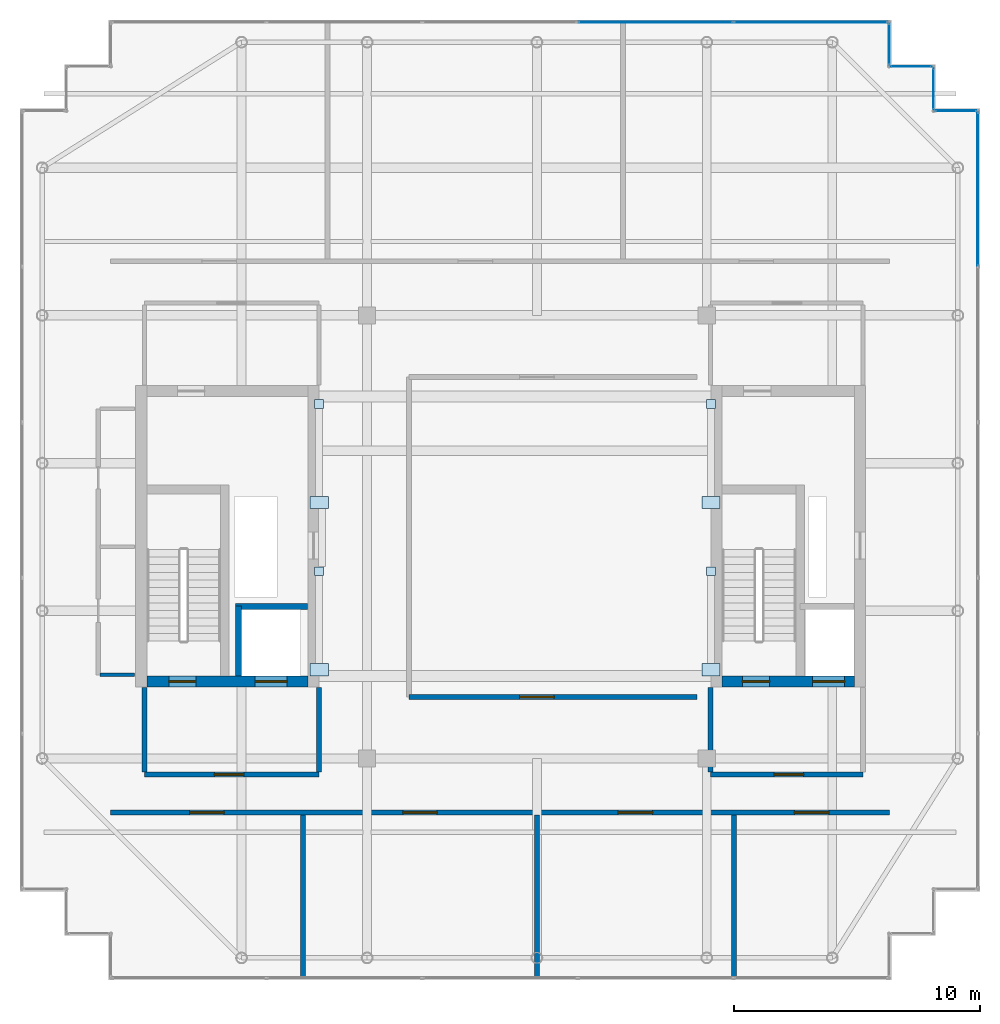
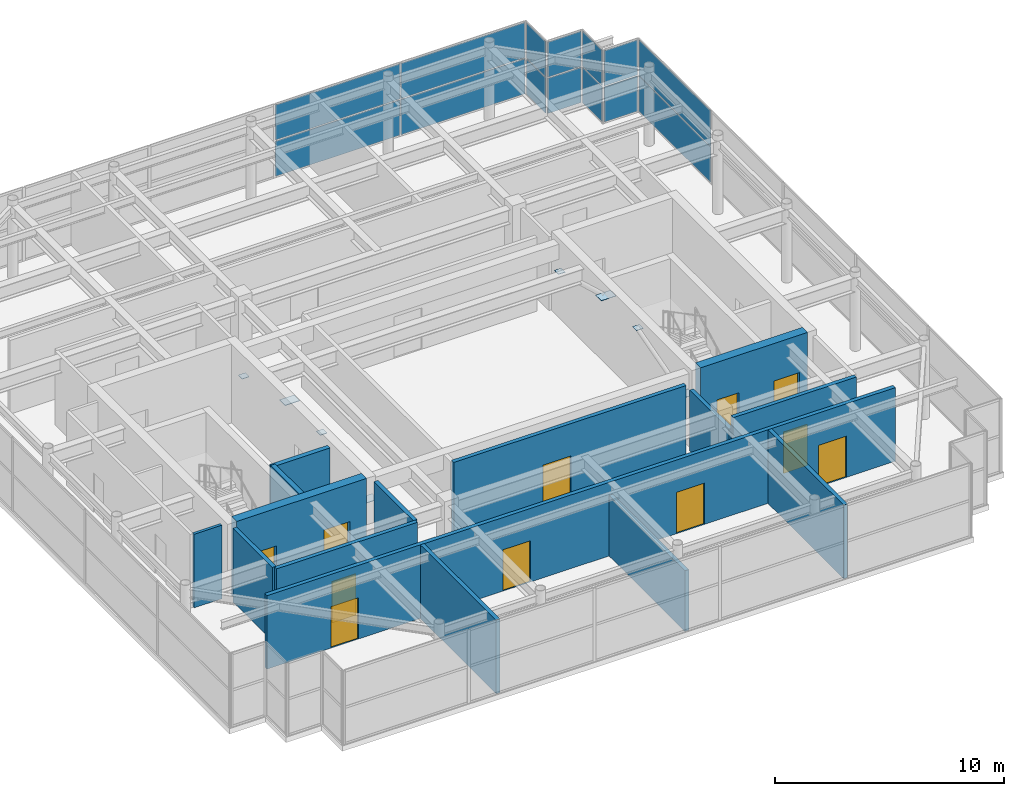
# One storey, part 30 of 32: 22 plates, 15 walls, 11 doors, 11 openings, 6 elements without a shape of their own.
"""IFC4 building model written with IfcOpenShell, lengths in metres."""

from ifc_helpers import new_model, si_unit, direction, frame, frame_2d, origin, origin_2d, place, context, subcontext, project, spatial, rectangle, extrude, source, transform, mapped, material, layer, layer_set, type_object, element, fill, aggregate, save


model = new_model("IFC4")

# Units and contexts
model_context = context("Model", 3, precision=1e-05, world=origin(), true_north=direction((0.0, 1.0)))
body_context = subcontext(model_context, "Body", "Model", "MODEL_VIEW")
ifc_project = project(units=[si_unit("LENGTHUNIT", "METRE"), si_unit("AREAUNIT", "SQUARE_METRE"), si_unit("VOLUMEUNIT", "CUBIC_METRE"), si_unit("PLANEANGLEUNIT", "RADIAN"), si_unit("MASSUNIT", "GRAM", prefix="KILO")], contexts=[model_context])

# Site, building, storey
site_placement = place(None, origin())
site = spatial("IfcSite", under=ifc_project, at=site_placement, CompositionType="ELEMENT")
building_placement = place(site_placement, origin())
building = spatial("IfcBuilding", under=site, at=building_placement, Name="Khoralis Quay Care Tower", CompositionType="ELEMENT")
storey_placement = place(building_placement, frame((0.0, 0.0, 310.5)))
storey = spatial("IfcBuildingStorey", under=building, at=storey_placement, Name="L81", CompositionType="ELEMENT", Elevation=310.5)

# Plates
ifc_material_1 = material(Name="Steel S355", Category="steel")
ifc_layer_1 = layer(ifc_material_1, 0.02001953125)
ifc_layer_set_1 = layer_set([ifc_layer_1], Name="Steel S355")
plate_type_1 = type_object("IfcPlateType", Name="PLT-CAP-350", PredefinedType="USERDEFINED", material=ifc_layer_set_1)
shared_shape_1 = source(origin(), body_context, "Body", "SweptSolid", [
    extrude(rectangle(XDim=0.35009765625, YDim=0.35009765625, at=origin_2d()), origin(), (0.0, 0.0, 1.0), 0.02001953125),
])
for number, where, z_axis, x_axis, name in (
    (1, (15.14794921875, 19.60009765625, 3.639892578125), (0.0, 0.0, 1.0), (1.0, 0.0, 0.0), "PLT-LNCP-L81-1"),
    (2, (15.14794921875, 26.39990234375, 2.510009765625), (0.0, 0.0, 1.0), (1.0, 0.0, 0.0), "PLT-LNCP-L81-2"),
    (3, (31.072021484375, 19.60009765625, 3.639892578125), (0.0, 0.0, 1.0), (1.0, 0.0, 0.0), "PLT-LNCP-L81-3"),
    (4, (31.072021484375, 26.39990234375, 2.510009765625), (0.0, 0.0, 1.0), (1.0, 0.0, 0.0), "PLT-LNCP-L81-4"),
):
    element("IfcPlate", number, at=place(storey_placement, frame(where, z_axis=z_axis, x_axis=x_axis)), inside=storey, type_object=plate_type_1, Name=name, ObjectType="BASE_PLATE", PredefinedType="USERDEFINED", context=body_context, shape_type="MappedRepresentation", body=[
        mapped(shared_shape_1, transform((0.0, 0.0, 0.0), scale=1.0)),
    ])
ifc_layer_2 = layer(ifc_material_1, 0.02490234375)
ifc_layer_set_2 = layer_set([ifc_layer_2], Name="Steel S355")
plate_type_2 = type_object("IfcPlateType", Name="PLT-NODE-LN1", PredefinedType="USERDEFINED", material=ifc_layer_set_2)
shared_shape_2 = source(origin(), body_context, "Body", "SweptSolid", [
    extrude(rectangle(XDim=0.75, YDim=0.5, at=origin_2d()), origin(), (0.0, 0.0, 1.0), 0.02490234375),
])
for number, where, z_axis, x_axis, name in (
    (5, (15.14794921875, 15.60009765625, 2.507568359375), (0.0, 0.0, 1.0), (1.0, 0.0, 0.0), "PLT-LN1-L81-1"),
    (6, (15.14794921875, 22.39990234375, 3.637451171875), (0.0, 0.0, 1.0), (1.0, 0.0, 0.0), "PLT-LN1-L81-2"),
    (7, (31.072021484375, 15.60009765625, 2.507568359375), (0.0, 0.0, 1.0), (1.0, 0.0, 0.0), "PLT-LN1-L81-3"),
    (8, (31.072021484375, 22.39990234375, 3.637451171875), (0.0, 0.0, 1.0), (1.0, 0.0, 0.0), "PLT-LN1-L81-4"),
):
    element("IfcPlate", number, at=place(storey_placement, frame(where, z_axis=z_axis, x_axis=x_axis)), inside=storey, type_object=plate_type_2, Name=name, ObjectType="GUSSET_PLATE", PredefinedType="USERDEFINED", context=body_context, shape_type="MappedRepresentation", body=[
        mapped(shared_shape_2, transform((0.0, 0.0, 0.0), scale=1.0)),
    ])

# Curtain wall, plates
ifc_material_2 = material(Name="Pale anodised aluminium", Category="aluminium")
ifc_layer_3 = layer(ifc_material_2, 0.199951171875)
ifc_layer_set_3 = layer_set([ifc_layer_3], Name="Pale anodised aluminium")
curtain_wall_type = type_object("IfcCurtainWallType", Name="CW-SYS-LANTERN", PredefinedType="NOTDEFINED", material=ifc_layer_set_3)
curtain_wall_1_placement = place(storey_placement, origin())
curtain_wall_1 = element("IfcCurtainWall", 9, at=curtain_wall_1_placement, inside=storey, type_object=curtain_wall_type, Name="L81 Unitised Curtain Wall CW-LN-L81-06", PredefinedType="NOTDEFINED")
ifc_material_3 = material(Name="Low-iron clear lantern glazing", Category="glass")
ifc_layer_4 = layer(ifc_material_3, 0.035888671875)
ifc_layer_set_4 = layer_set([ifc_layer_4], Name="Low-iron clear lantern glazing")
plate_type_3 = type_object("IfcPlateType", Name="PNL-LNT-36", PredefinedType="CURTAIN_PANEL", material=ifc_layer_set_4)
shared_shape_3 = source(origin(), body_context, "Body", "SweptSolid", [
    extrude(rectangle(XDim=6.23388671875, YDim=0.028076171875, at=origin_2d()), origin(), (0.0, 0.0, 1.0), 1.8701171875),
])
plate_1_placement = place(storey_placement, frame((41.909912109375, 35.133056640625, 0.06005859375), z_axis=(0.0, 0.0, 1.0), x_axis=(0.0, 1.0, 0.0)))
plate_1 = element("IfcPlate", 10, at=plate_1_placement, type_object=plate_type_3, Name="CW5 panel 5.1", PredefinedType="CURTAIN_PANEL", context=body_context, shape_type="MappedRepresentation", body=[
    mapped(shared_shape_3, transform((0.0, 0.0, 0.0), scale=1.0)),
])
plate_2_placement = place(storey_placement, frame((41.909912109375, 35.133056640625, 1.989990234375), z_axis=(0.0, 0.0, 1.0), x_axis=(0.0, 1.0, 0.0)))
plate_2 = element("IfcPlate", 11, at=plate_2_placement, type_object=plate_type_3, Name="CW5 panel 5.2", PredefinedType="CURTAIN_PANEL", context=body_context, shape_type="MappedRepresentation", body=[
    mapped(shared_shape_3, transform((0.0, 0.0, 0.0), scale=1.0)),
])
aggregate(curtain_wall_1, [plate_1, plate_2])

curtain_wall_2_placement = place(storey_placement, origin())
curtain_wall_2 = element("IfcCurtainWall", 12, at=curtain_wall_2_placement, inside=storey, type_object=curtain_wall_type, Name="L81 Unitised Curtain Wall CW-LN-L81-11", PredefinedType="NOTDEFINED")
plate_3_placement = place(storey_placement, frame((35.133056640625, 41.909912109375, 0.06005859375), z_axis=(0.0, 0.0, 1.0), x_axis=(-1.0, 0.0, 0.0)))
plate_3 = element("IfcPlate", 13, at=plate_3_placement, type_object=plate_type_3, Name="CW5 panel 1.1", PredefinedType="CURTAIN_PANEL", context=body_context, shape_type="MappedRepresentation", body=[
    mapped(shared_shape_3, transform((0.0, 0.0, 0.0), scale=1.0)),
])
plate_4_placement = place(storey_placement, frame((35.133056640625, 41.909912109375, 1.989990234375), z_axis=(0.0, 0.0, 1.0), x_axis=(-1.0, 0.0, 0.0)))
plate_4 = element("IfcPlate", 14, at=plate_4_placement, type_object=plate_type_3, Name="CW5 panel 1.2", PredefinedType="CURTAIN_PANEL", context=body_context, shape_type="MappedRepresentation", body=[
    mapped(shared_shape_3, transform((0.0, 0.0, 0.0), scale=1.0)),
])
shared_shape_4 = source(origin(), body_context, "Body", "SweptSolid", [
    extrude(rectangle(XDim=6.263916015625, YDim=0.028076171875, at=origin_2d()), origin(), (0.0, 0.0, 1.0), 1.8701171875),
])
plate_5_placement = place(storey_placement, frame((28.823974609375, 41.909912109375, 0.06005859375), z_axis=(0.0, 0.0, 1.0), x_axis=(-1.0, 0.0, 0.0)))
plate_5 = element("IfcPlate", 15, at=plate_5_placement, type_object=plate_type_3, Name="CW5 panel 2.1", PredefinedType="CURTAIN_PANEL", context=body_context, shape_type="MappedRepresentation", body=[
    mapped(shared_shape_4, transform((0.0, 0.0, 0.0), scale=1.0)),
])
plate_6_placement = place(storey_placement, frame((28.823974609375, 41.909912109375, 1.989990234375), z_axis=(0.0, 0.0, 1.0), x_axis=(-1.0, 0.0, 0.0)))
plate_6 = element("IfcPlate", 16, at=plate_6_placement, type_object=plate_type_3, Name="CW5 panel 2.2", PredefinedType="CURTAIN_PANEL", context=body_context, shape_type="MappedRepresentation", body=[
    mapped(shared_shape_4, transform((0.0, 0.0, 0.0), scale=1.0)),
])
aggregate(curtain_wall_2, [plate_3, plate_4, plate_5, plate_6])

curtain_wall_3_placement = place(storey_placement, origin())
curtain_wall_3 = element("IfcCurtainWall", 17, at=curtain_wall_3_placement, inside=storey, type_object=curtain_wall_type, Name="L81 Unitised Curtain Wall CW-LN-L81-07", PredefinedType="NOTDEFINED")
shared_shape_5 = source(origin(), body_context, "Body", "SweptSolid", [
    extrude(rectangle(XDim=1.679931640625, YDim=0.028076171875, at=origin_2d()), origin(), (0.0, 0.0, 1.0), 1.8701171875),
])
plate_7_placement = place(storey_placement, frame((41.010009765625, 38.31005859375, 0.06005859375), z_axis=(0.0, 0.0, 1.0), x_axis=(-1.0, 0.0, 0.0)))
plate_7 = element("IfcPlate", 18, at=plate_7_placement, type_object=plate_type_3, Name="CW5 panel 1.1", PredefinedType="CURTAIN_PANEL", context=body_context, shape_type="MappedRepresentation", body=[
    mapped(shared_shape_5, transform((0.0, 0.0, 0.0), scale=1.0)),
])
plate_8_placement = place(storey_placement, frame((41.010009765625, 38.31005859375, 1.989990234375), z_axis=(0.0, 0.0, 1.0), x_axis=(-1.0, 0.0, 0.0)))
plate_8 = element("IfcPlate", 19, at=plate_8_placement, type_object=plate_type_3, Name="CW5 panel 1.2", PredefinedType="CURTAIN_PANEL", context=body_context, shape_type="MappedRepresentation", body=[
    mapped(shared_shape_5, transform((0.0, 0.0, 0.0), scale=1.0)),
])
aggregate(curtain_wall_3, [plate_7, plate_8])

curtain_wall_4_placement = place(storey_placement, origin())
curtain_wall_4 = element("IfcCurtainWall", 20, at=curtain_wall_4_placement, inside=storey, type_object=curtain_wall_type, Name="L81 Unitised Curtain Wall CW-LN-L81-08", PredefinedType="NOTDEFINED")
plate_9_placement = place(storey_placement, frame((40.110107421875, 39.2099609375, 0.06005859375), z_axis=(0.0, 0.0, 1.0), x_axis=(0.0, 1.0, 0.0)))
plate_9 = element("IfcPlate", 21, at=plate_9_placement, type_object=plate_type_3, Name="CW5 panel 1.1", PredefinedType="CURTAIN_PANEL", context=body_context, shape_type="MappedRepresentation", body=[
    mapped(shared_shape_5, transform((0.0, 0.0, 0.0), scale=1.0)),
])
plate_10_placement = place(storey_placement, frame((40.110107421875, 39.2099609375, 1.989990234375), z_axis=(0.0, 0.0, 1.0), x_axis=(0.0, 1.0, 0.0)))
plate_10 = element("IfcPlate", 22, at=plate_10_placement, type_object=plate_type_3, Name="CW5 panel 1.2", PredefinedType="CURTAIN_PANEL", context=body_context, shape_type="MappedRepresentation", body=[
    mapped(shared_shape_5, transform((0.0, 0.0, 0.0), scale=1.0)),
])
aggregate(curtain_wall_4, [plate_9, plate_10])

curtain_wall_5_placement = place(storey_placement, origin())
curtain_wall_5 = element("IfcCurtainWall", 23, at=curtain_wall_5_placement, inside=storey, type_object=curtain_wall_type, Name="L81 Unitised Curtain Wall CW-LN-L81-09", PredefinedType="NOTDEFINED")
plate_11_placement = place(storey_placement, frame((39.2099609375, 40.110107421875, 0.06005859375), z_axis=(0.0, 0.0, 1.0), x_axis=(-1.0, 0.0, 0.0)))
plate_11 = element("IfcPlate", 24, at=plate_11_placement, type_object=plate_type_3, Name="CW5 panel 1.1", PredefinedType="CURTAIN_PANEL", context=body_context, shape_type="MappedRepresentation", body=[
    mapped(shared_shape_5, transform((0.0, 0.0, 0.0), scale=1.0)),
])
plate_12_placement = place(storey_placement, frame((39.2099609375, 40.110107421875, 1.989990234375), z_axis=(0.0, 0.0, 1.0), x_axis=(-1.0, 0.0, 0.0)))
plate_12 = element("IfcPlate", 25, at=plate_12_placement, type_object=plate_type_3, Name="CW5 panel 1.2", PredefinedType="CURTAIN_PANEL", context=body_context, shape_type="MappedRepresentation", body=[
    mapped(shared_shape_5, transform((0.0, 0.0, 0.0), scale=1.0)),
])
aggregate(curtain_wall_5, [plate_11, plate_12])

curtain_wall_6_placement = place(storey_placement, origin())
curtain_wall_6 = element("IfcCurtainWall", 26, at=curtain_wall_6_placement, inside=storey, type_object=curtain_wall_type, Name="L81 Unitised Curtain Wall CW-LN-L81-10", PredefinedType="NOTDEFINED")
plate_13_placement = place(storey_placement, frame((38.31005859375, 41.010009765625, 0.06005859375), z_axis=(0.0, 0.0, 1.0), x_axis=(0.0, 1.0, 0.0)))
plate_13 = element("IfcPlate", 27, at=plate_13_placement, type_object=plate_type_3, Name="CW5 panel 1.1", PredefinedType="CURTAIN_PANEL", context=body_context, shape_type="MappedRepresentation", body=[
    mapped(shared_shape_5, transform((0.0, 0.0, 0.0), scale=1.0)),
])
plate_14_placement = place(storey_placement, frame((38.31005859375, 41.010009765625, 1.989990234375), z_axis=(0.0, 0.0, 1.0), x_axis=(0.0, 1.0, 0.0)))
plate_14 = element("IfcPlate", 28, at=plate_14_placement, type_object=plate_type_3, Name="CW5 panel 1.2", PredefinedType="CURTAIN_PANEL", context=body_context, shape_type="MappedRepresentation", body=[
    mapped(shared_shape_5, transform((0.0, 0.0, 0.0), scale=1.0)),
])
aggregate(curtain_wall_6, [plate_13, plate_14])

# Wall, opening, door
ifc_material_4 = material(Name="Gypsum plasterboard on acoustic metal stud")
ifc_layer_5 = layer(ifc_material_4, 0.199951171875)
ifc_layer_set_5 = layer_set([ifc_layer_5], Name="Gypsum plasterboard on acoustic metal stud")
wall_type_1 = type_object("IfcWallType", Name="WL-COMP-200", PredefinedType="PARTITIONING", material=ifc_layer_set_5)
wall_1_placement = place(storey_placement, frame((8.050048828125, 11.35009765625, 0.0), z_axis=(0.0, 0.0, 1.0), x_axis=(1.0, 0.0, 0.0)))
wall_1 = element("IfcWall", 29, at=wall_1_placement, inside=storey, type_object=wall_type_1, Name="L81 West Firefighting Lobby South Wall", PredefinedType="PARTITIONING", context=body_context, shape_type="SweptSolid", body=[
    extrude(rectangle(XDim=7.099853515625, YDim=0.199951171875, at=frame_2d((3.5498046875, 0.0))), origin(), (0.0, 0.0, 1.0), 3.919921875),
])
opening_1_placement = place(wall_1_placement, frame((2.846435546875, 0.0, 0.0)))
opening_1 = element("IfcOpeningElement", 30, at=opening_1_placement, cuts=wall_1, Name="Opening FD1", PredefinedType="OPENING", context=body_context, shape_type="SweptSolid", body=[
    extrude(rectangle(XDim=1.199951171875, YDim=2.199951171875, at=frame_2d((0.60009765625, 1.10009765625))), frame((0.0, 0.10986328125, 0.0), z_axis=(0.0, -1.0, 0.0), x_axis=(1.0, 0.0, 0.0)), (0.0, 0.0, 1.0), 0.219970703125),
])
ifc_material_5 = material(Name="Fire-rated painted steel", Category="steel")
door_type_1 = type_object("IfcDoorType", Name="DR-FFL-1200X2200", OperationType="NOTDEFINED", PredefinedType="DOOR", material=ifc_material_5)
shared_shape_6 = source(origin(), body_context, "Body", "SweptSolid", [
    extrude(rectangle(XDim=1.199951171875, YDim=2.199951171875, at=frame_2d((0.60009765625, 1.10009765625))), frame((0.0, 0.02490234375, 0.0), z_axis=(0.0, -1.0, 0.0), x_axis=(1.0, 0.0, 0.0)), (0.0, 0.0, 1.0), 0.050048828125),
])
door_1_placement = place(opening_1_placement, origin())
door_1 = element("IfcDoor", 31, at=door_1_placement, inside=storey, type_object=door_type_1, Name="L81 West Firefighting Lobby Fire Door", OperationType="SINGLE_SWING_LEFT", OverallHeight=2.199951171875, OverallWidth=1.199951171875, PredefinedType="DOOR", context=body_context, shape_type="MappedRepresentation", body=[
    mapped(shared_shape_6, transform((0.0, 0.0, 0.0), scale=1.0)),
])
fill(opening_1, door_1)

# Walls
for number, where, z_axis, x_axis, name in (
    (32, (8.050048828125, 11.445068359375, 0.0), (0.0, 0.0, 1.0), (0.0, 1.0, 0.0), "L81 West Firefighting Lobby West Wall"),
    (33, (15.14990234375, 11.445068359375, 0.0), (0.0, 0.0, 1.0), (0.0, 1.0, 0.0), "L81 West Firefighting Lobby East Wall"),
):
    element("IfcWall", number, at=place(storey_placement, frame(where, z_axis=z_axis, x_axis=x_axis)), inside=storey, type_object=wall_type_1, Name=name, PredefinedType="PARTITIONING", context=body_context, shape_type="SweptSolid", body=[
        extrude(rectangle(XDim=3.434814453125, YDim=0.199951171875, at=frame_2d((1.71728515625, 0.0))), origin(), (0.0, 0.0, 1.0), 3.919921875),
    ])

# Wall, opening, door
wall_2_placement = place(storey_placement, frame((31.050048828125, 11.35009765625, 0.0), z_axis=(0.0, 0.0, 1.0), x_axis=(1.0, 0.0, 0.0)))
wall_2 = element("IfcWall", 34, at=wall_2_placement, inside=storey, type_object=wall_type_1, Name="L81 East Firefighting Lobby South Wall", PredefinedType="PARTITIONING", context=body_context, shape_type="SweptSolid", body=[
    extrude(rectangle(XDim=6.199951171875, YDim=0.199951171875, at=frame_2d((3.10009765625, 0.0))), origin(), (0.0, 0.0, 1.0), 3.919921875),
])
opening_2_placement = place(wall_2_placement, frame((2.585693359375, 0.0, 0.0)))
opening_2 = element("IfcOpeningElement", 35, at=opening_2_placement, cuts=wall_2, Name="Opening FD1", PredefinedType="OPENING", context=body_context, shape_type="SweptSolid", body=[
    extrude(rectangle(XDim=1.199951171875, YDim=2.199951171875, at=frame_2d((0.60009765625, 1.10009765625))), frame((0.0, 0.10986328125, 0.0), z_axis=(0.0, -1.0, 0.0), x_axis=(1.0, 0.0, 0.0)), (0.0, 0.0, 1.0), 0.219970703125),
])
door_2_placement = place(opening_2_placement, origin())
door_2 = element("IfcDoor", 36, at=door_2_placement, inside=storey, type_object=door_type_1, Name="L81 East Firefighting Lobby Fire Door", OperationType="SINGLE_SWING_RIGHT", OverallHeight=2.199951171875, OverallWidth=1.199951171875, PredefinedType="DOOR", context=body_context, shape_type="MappedRepresentation", body=[
    mapped(shared_shape_6, transform((0.0, 0.0, 0.0), scale=1.0)),
])
fill(opening_2, door_2)

# Wall
wall_3_placement = place(storey_placement, frame((31.050048828125, 11.445068359375, 0.0), z_axis=(0.0, 0.0, 1.0), x_axis=(0.0, 1.0, 0.0)))
element("IfcWall", 37, at=wall_3_placement, inside=storey, type_object=wall_type_1, Name="L81 East Firefighting Lobby West Wall", PredefinedType="PARTITIONING", context=body_context, shape_type="SweptSolid", body=[
    extrude(rectangle(XDim=3.434814453125, YDim=0.199951171875, at=frame_2d((1.71728515625, 0.0))), origin(), (0.0, 0.0, 1.0), 3.22509765625),
])

# Wall, openings, doors
wall_4_placement = place(storey_placement, frame((6.679931640625, 9.800048828125, 0.0), z_axis=(0.0, 0.0, 1.0), x_axis=(1.0, 0.0, 0.0)))
wall_4 = element("IfcWall", 38, at=wall_4_placement, inside=storey, type_object=wall_type_1, Name="L81 Plant Corridor South Wall", PredefinedType="PARTITIONING", context=body_context, shape_type="SweptSolid", body=[
    extrude(rectangle(XDim=31.64013671875, YDim=0.199951171875, at=frame_2d((15.820068359375, 0.0))), origin(), (0.0, 0.0, 1.0), 3.919921875),
])
opening_3_placement = place(wall_4_placement, frame((3.2099609375, 0.0, 0.0)))
opening_3 = element("IfcOpeningElement", 39, at=opening_3_placement, cuts=wall_4, Name="Opening PD1", PredefinedType="OPENING", context=body_context, shape_type="SweptSolid", body=[
    extrude(rectangle(XDim=1.39990234375, YDim=2.199951171875, at=frame_2d((0.699951171875, 1.10009765625))), frame((0.0, 0.10986328125, 0.0), z_axis=(0.0, -1.0, 0.0), x_axis=(1.0, 0.0, 0.0)), (0.0, 0.0, 1.0), 0.219970703125),
])
opening_4_placement = place(wall_4_placement, frame((11.8701171875, 0.0, 0.0)))
opening_4 = element("IfcOpeningElement", 40, at=opening_4_placement, cuts=wall_4, Name="Opening PD1", PredefinedType="OPENING", context=body_context, shape_type="SweptSolid", body=[
    extrude(rectangle(XDim=1.39990234375, YDim=2.199951171875, at=frame_2d((0.699951171875, 1.10009765625))), frame((0.0, 0.10986328125, 0.0), z_axis=(0.0, -1.0, 0.0), x_axis=(1.0, 0.0, 0.0)), (0.0, 0.0, 1.0), 0.219970703125),
])
opening_5_placement = place(wall_4_placement, frame((20.6201171875, 0.0, 0.0)))
opening_5 = element("IfcOpeningElement", 41, at=opening_5_placement, cuts=wall_4, Name="Opening PD1", PredefinedType="OPENING", context=body_context, shape_type="SweptSolid", body=[
    extrude(rectangle(XDim=1.39990234375, YDim=2.199951171875, at=frame_2d((0.699951171875, 1.10009765625))), frame((0.0, 0.10986328125, 0.0), z_axis=(0.0, -1.0, 0.0), x_axis=(1.0, 0.0, 0.0)), (0.0, 0.0, 1.0), 0.219970703125),
])
opening_6_placement = place(wall_4_placement, frame((27.780029296875, 0.0, 0.0)))
opening_6 = element("IfcOpeningElement", 42, at=opening_6_placement, cuts=wall_4, Name="Opening PD1", PredefinedType="OPENING", context=body_context, shape_type="SweptSolid", body=[
    extrude(rectangle(XDim=1.39990234375, YDim=2.199951171875, at=frame_2d((0.699951171875, 1.10009765625))), frame((0.0, 0.10986328125, 0.0), z_axis=(0.0, -1.0, 0.0), x_axis=(1.0, 0.0, 0.0)), (0.0, 0.0, 1.0), 0.219970703125),
])
door_type_2 = type_object("IfcDoorType", Name="DR-PLANT-1400X2200", OperationType="NOTDEFINED", PredefinedType="DOOR", material=ifc_material_5)
shared_shape_7 = source(origin(), body_context, "Body", "SweptSolid", [
    extrude(rectangle(XDim=1.39990234375, YDim=2.199951171875, at=frame_2d((0.699951171875, 1.10009765625))), frame((0.0, 0.02490234375, 0.0), z_axis=(0.0, -1.0, 0.0), x_axis=(1.0, 0.0, 0.0)), (0.0, 0.0, 1.0), 0.050048828125),
])
door_3_placement = place(opening_3_placement, frame((1.39990234375, 0.0, 0.0), z_axis=(0.0, 0.0, 1.0), x_axis=(-1.0, 0.0, 0.0)))
door_3 = element("IfcDoor", 43, at=door_3_placement, inside=storey, type_object=door_type_2, Name="L81 Air Handling Plant Room Plant Door", OperationType="DOUBLE_DOOR_SINGLE_SWING", OverallHeight=2.199951171875, OverallWidth=1.39990234375, PredefinedType="DOOR", context=body_context, shape_type="MappedRepresentation", body=[
    mapped(shared_shape_7, transform((0.0, 0.0, 0.0), scale=1.0)),
])
fill(opening_3, door_3)
door_4_placement = place(opening_4_placement, frame((1.39990234375, 0.0, 0.0), z_axis=(0.0, 0.0, 1.0), x_axis=(-1.0, 0.0, 0.0)))
door_4 = element("IfcDoor", 44, at=door_4_placement, inside=storey, type_object=door_type_2, Name="L81 Electrical Switchgear Room Plant Door", OperationType="DOUBLE_DOOR_SINGLE_SWING", OverallHeight=2.199951171875, OverallWidth=1.39990234375, PredefinedType="DOOR", context=body_context, shape_type="MappedRepresentation", body=[
    mapped(shared_shape_7, transform((0.0, 0.0, 0.0), scale=1.0)),
])
fill(opening_4, door_4)
door_5_placement = place(opening_5_placement, frame((1.39990234375, 0.0, 0.0), z_axis=(0.0, 0.0, 1.0), x_axis=(-1.0, 0.0, 0.0)))
door_5 = element("IfcDoor", 45, at=door_5_placement, inside=storey, type_object=door_type_2, Name="L81 BMS Control Plant Room Plant Door", OperationType="DOUBLE_DOOR_SINGLE_SWING", OverallHeight=2.199951171875, OverallWidth=1.39990234375, PredefinedType="DOOR", context=body_context, shape_type="MappedRepresentation", body=[
    mapped(shared_shape_7, transform((0.0, 0.0, 0.0), scale=1.0)),
])
fill(opening_5, door_5)
door_6_placement = place(opening_6_placement, frame((1.39990234375, 0.0, 0.0), z_axis=(0.0, 0.0, 1.0), x_axis=(-1.0, 0.0, 0.0)))
door_6 = element("IfcDoor", 46, at=door_6_placement, inside=storey, type_object=door_type_2, Name="L81 Lantern Dimming Plant Plant Door", OperationType="DOUBLE_DOOR_SINGLE_SWING", OverallHeight=2.199951171875, OverallWidth=1.39990234375, PredefinedType="DOOR", context=body_context, shape_type="MappedRepresentation", body=[
    mapped(shared_shape_7, transform((0.0, 0.0, 0.0), scale=1.0)),
])
fill(opening_6, door_6)

# Wall, opening, door
wall_5_placement = place(storey_placement, frame((18.800048828125, 14.5, 0.0), z_axis=(0.0, 0.0, 1.0), x_axis=(1.0, 0.0, 0.0)))
wall_5 = element("IfcWall", 47, at=wall_5_placement, inside=storey, type_object=wall_type_1, Name="L81 Central Plant South Wall", PredefinedType="PARTITIONING", context=body_context, shape_type="SweptSolid", body=[
    extrude(rectangle(XDim=11.699951171875, YDim=0.199951171875, at=frame_2d((5.85009765625, 0.0))), origin(), (0.0, 0.0, 1.0), 3.919921875),
])
opening_7_placement = place(wall_5_placement, frame((4.5, 0.0, 0.0)))
opening_7 = element("IfcOpeningElement", 48, at=opening_7_placement, cuts=wall_5, Name="Opening PD1", PredefinedType="OPENING", context=body_context, shape_type="SweptSolid", body=[
    extrude(rectangle(XDim=1.39990234375, YDim=2.199951171875, at=frame_2d((0.699951171875, 1.10009765625))), frame((0.0, 0.10986328125, 0.0), z_axis=(0.0, -1.0, 0.0), x_axis=(1.0, 0.0, 0.0)), (0.0, 0.0, 1.0), 0.219970703125),
])
door_7_placement = place(opening_7_placement, origin())
door_7 = element("IfcDoor", 49, at=door_7_placement, inside=storey, type_object=door_type_2, Name="L81 Central Plant South Door", OperationType="DOUBLE_DOOR_SINGLE_SWING", OverallHeight=2.199951171875, OverallWidth=1.39990234375, PredefinedType="DOOR", context=body_context, shape_type="MappedRepresentation", body=[
    mapped(shared_shape_7, transform((0.0, 0.0, 0.0), scale=1.0)),
])
fill(opening_7, door_7)

# Walls
wall_6_placement = place(storey_placement, frame((14.5, 3.0849609375, 0.0), z_axis=(0.0, 0.0, 1.0), x_axis=(0.0, 1.0, 0.0)))
element("IfcWall", 50, at=wall_6_placement, inside=storey, type_object=wall_type_1, Name="L81 South Plant Divider 1", PredefinedType="PARTITIONING", context=body_context, shape_type="SweptSolid", body=[
    extrude(rectangle(XDim=6.6201171875, YDim=0.199951171875, at=frame_2d((3.31005859375, 0.0))), origin(), (0.0, 0.0, 1.0), 3.919921875),
])
wall_7_placement = place(storey_placement, frame((24.0, 3.0849609375, 0.0), z_axis=(0.0, 0.0, 1.0), x_axis=(0.0, 1.0, 0.0)))
element("IfcWall", 51, at=wall_7_placement, inside=storey, type_object=wall_type_1, Name="L81 South Plant Divider 2", PredefinedType="PARTITIONING", context=body_context, shape_type="SweptSolid", body=[
    extrude(rectangle(XDim=6.6201171875, YDim=0.199951171875, at=frame_2d((3.31005859375, 0.0))), origin(), (0.0, 0.0, 1.0), 3.22509765625),
])
wall_8_placement = place(storey_placement, frame((32.0, 3.0849609375, 0.0), z_axis=(0.0, 0.0, 1.0), x_axis=(0.0, 1.0, 0.0)))
element("IfcWall", 52, at=wall_8_placement, inside=storey, type_object=wall_type_1, Name="L81 South Plant Divider 3", PredefinedType="PARTITIONING", context=body_context, shape_type="SweptSolid", body=[
    extrude(rectangle(XDim=6.6201171875, YDim=0.199951171875, at=frame_2d((3.31005859375, 0.0))), origin(), (0.0, 0.0, 1.0), 3.919921875),
])

# Wall, openings, doors
ifc_material_6 = material(Name="Concrete C50/60", Category="concrete")
ifc_layer_6 = layer(ifc_material_6, 0.449951171875)
ifc_layer_set_6 = layer_set([ifc_layer_6], Name="Concrete C50/60")
wall_type_2 = type_object("IfcWallType", Name="WL-CORE-450", PredefinedType="SHEAR", material=ifc_layer_set_6)
wall_9_placement = place(storey_placement, frame((8.14990234375, 15.125, 0.0), z_axis=(0.0, 0.0, 1.0), x_axis=(1.0, 0.0, 0.0)))
wall_9 = element("IfcWall", 53, at=wall_9_placement, inside=storey, type_object=wall_type_2, Name="L81 WCORE South Shear Wall", PredefinedType="SHEAR", context=body_context, shape_type="SweptSolid", body=[
    extrude(rectangle(XDim=6.550048828125, YDim=0.449951171875, at=frame_2d((3.27490234375, 0.0))), origin(), (0.0, 0.0, 1.0), 4.199951171875),
])
opening_8_placement = place(wall_9_placement, frame((0.89990234375, 0.0, 0.0)))
opening_8 = element("IfcOpeningElement", 54, at=opening_8_placement, cuts=wall_9, Name="Opening SD1", PredefinedType="OPENING", context=body_context, shape_type="SweptSolid", body=[
    extrude(rectangle(XDim=1.10009765625, YDim=2.199951171875, at=frame_2d((0.550048828125, 1.10009765625))), frame((0.0, 0.23486328125, 0.0), z_axis=(0.0, -1.0, 0.0), x_axis=(1.0, 0.0, 0.0)), (0.0, 0.0, 1.0), 0.469970703125),
])
opening_9_placement = place(wall_9_placement, frame((4.39990234375, 0.0, 0.0)))
opening_9 = element("IfcOpeningElement", 55, at=opening_9_placement, cuts=wall_9, Name="Opening LD2", PredefinedType="OPENING", context=body_context, shape_type="SweptSolid", body=[
    extrude(rectangle(XDim=1.300048828125, YDim=2.199951171875, at=frame_2d((0.64990234375, 1.10009765625))), frame((0.0, 0.23486328125, 0.0), z_axis=(0.0, -1.0, 0.0), x_axis=(1.0, 0.0, 0.0)), (0.0, 0.0, 1.0), 0.469970703125),
])
door_type_3 = type_object("IfcDoorType", Name="DR-STAIR-1100X2200", OperationType="NOTDEFINED", PredefinedType="DOOR", material=ifc_material_5)
shared_shape_8 = source(origin(), body_context, "Body", "SweptSolid", [
    extrude(rectangle(XDim=1.10009765625, YDim=2.199951171875, at=frame_2d((0.550048828125, 1.10009765625))), frame((0.0, 0.02490234375, 0.0), z_axis=(0.0, -1.0, 0.0), x_axis=(1.0, 0.0, 0.0)), (0.0, 0.0, 1.0), 0.050048828125),
])
door_8_placement = place(opening_8_placement, origin())
door_8 = element("IfcDoor", 56, at=door_8_placement, inside=storey, type_object=door_type_3, Name="L81 Stair ST-T1 Fire Door", OperationType="SINGLE_SWING_LEFT", OverallHeight=2.199951171875, OverallWidth=1.10009765625, PredefinedType="DOOR", context=body_context, shape_type="MappedRepresentation", body=[
    mapped(shared_shape_8, transform((0.0, 0.0, 0.0), scale=1.0)),
])
fill(opening_8, door_8)
ifc_material_7 = material(Name="Brushed stainless steel", Category="steel")
door_type_4 = type_object("IfcDoorType", Name="DR-LIFT-1300X2200", OperationType="SLIDING_TO_RIGHT", PredefinedType="DOOR", material=ifc_material_7)
shared_shape_9 = source(origin(), body_context, "Body", "SweptSolid", [
    extrude(rectangle(XDim=1.300048828125, YDim=2.199951171875, at=frame_2d((0.64990234375, 1.10009765625))), frame((0.0, 0.02490234375, 0.0), z_axis=(0.0, -1.0, 0.0), x_axis=(1.0, 0.0, 0.0)), (0.0, 0.0, 1.0), 0.050048828125),
])
door_9_placement = place(opening_9_placement, origin())
door_9 = element("IfcDoor", 57, at=door_9_placement, inside=storey, type_object=door_type_4, Name="L81 Firefighting Lift FFL-1 Landing Door", OperationType="SLIDING_TO_RIGHT", OverallHeight=2.199951171875, OverallWidth=1.300048828125, PredefinedType="DOOR", context=body_context, shape_type="MappedRepresentation", body=[
    mapped(shared_shape_9, transform((0.0, 0.0, 0.0), scale=1.0)),
])
fill(opening_9, door_9)

wall_10_placement = place(storey_placement, frame((31.52001953125, 15.125, 0.0), z_axis=(0.0, 0.0, 1.0), x_axis=(1.0, 0.0, 0.0)))
wall_10 = element("IfcWall", 58, at=wall_10_placement, inside=storey, type_object=wall_type_2, Name="L81 ECORE South Shear Wall", PredefinedType="SHEAR", context=body_context, shape_type="SweptSolid", body=[
    extrude(rectangle(XDim=5.3798828125, YDim=0.449951171875, at=frame_2d((2.68994140625, 0.0))), origin(), (0.0, 0.0, 1.0), 4.199951171875),
])
opening_10_placement = place(wall_10_placement, frame((0.830078125, 0.0, 0.0)))
opening_10 = element("IfcOpeningElement", 59, at=opening_10_placement, cuts=wall_10, Name="Opening SD1", PredefinedType="OPENING", context=body_context, shape_type="SweptSolid", body=[
    extrude(rectangle(XDim=1.10009765625, YDim=2.199951171875, at=frame_2d((0.550048828125, 1.10009765625))), frame((0.0, 0.23486328125, 0.0), z_axis=(0.0, -1.0, 0.0), x_axis=(1.0, 0.0, 0.0)), (0.0, 0.0, 1.0), 0.469970703125),
])
opening_11_placement = place(wall_10_placement, frame((3.679931640625, 0.0, 0.0)))
opening_11 = element("IfcOpeningElement", 60, at=opening_11_placement, cuts=wall_10, Name="Opening LD2", PredefinedType="OPENING", context=body_context, shape_type="SweptSolid", body=[
    extrude(rectangle(XDim=1.300048828125, YDim=2.199951171875, at=frame_2d((0.64990234375, 1.10009765625))), frame((0.0, 0.23486328125, 0.0), z_axis=(0.0, -1.0, 0.0), x_axis=(1.0, 0.0, 0.0)), (0.0, 0.0, 1.0), 0.469970703125),
])
door_10_placement = place(opening_10_placement, origin())
door_10 = element("IfcDoor", 61, at=door_10_placement, inside=storey, type_object=door_type_3, Name="L81 Stair ST-T2 Fire Door", OperationType="SINGLE_SWING_RIGHT", OverallHeight=2.199951171875, OverallWidth=1.10009765625, PredefinedType="DOOR", context=body_context, shape_type="MappedRepresentation", body=[
    mapped(shared_shape_8, transform((0.0, 0.0, 0.0), scale=1.0)),
])
fill(opening_10, door_10)
door_11_placement = place(opening_11_placement, origin())
door_11 = element("IfcDoor", 62, at=door_11_placement, inside=storey, type_object=door_type_4, Name="L81 Firefighting Lift FFL-2 Landing Door", OperationType="SLIDING_TO_RIGHT", OverallHeight=2.199951171875, OverallWidth=1.300048828125, PredefinedType="DOOR", context=body_context, shape_type="MappedRepresentation", body=[
    mapped(shared_shape_9, transform((0.0, 0.0, 0.0), scale=1.0)),
])
fill(opening_11, door_11)

# Walls
ifc_layer_7 = layer(ifc_material_4, 0.239990234375)
ifc_layer_set_7 = layer_set([ifc_layer_7], Name="Gypsum plasterboard on acoustic metal stud")
wall_type_3 = type_object("IfcWallType", Name="WL-SHAFT-240", PredefinedType="PARTITIONING", material=ifc_layer_set_7)
wall_11_placement = place(storey_placement, frame((11.8798828125, 15.35009765625, 0.0), z_axis=(0.0, 0.0, 1.0), x_axis=(0.0, 1.0, 0.0)))
element("IfcWall", 63, at=wall_11_placement, inside=storey, type_object=wall_type_3, Name="L81 FFL-1 Shaft Wall West", PredefinedType="PARTITIONING", context=body_context, shape_type="SweptSolid", body=[
    extrude(rectangle(XDim=2.849853515625, YDim=0.239990234375, at=frame_2d((1.4248046875, 0.0))), origin(), (0.0, 0.0, 1.0), 3.919921875),
])
wall_12_placement = place(storey_placement, frame((11.760009765625, 18.169921875, 0.0), z_axis=(0.0, 0.0, 1.0), x_axis=(1.0, 0.0, 0.0)))
element("IfcWall", 64, at=wall_12_placement, inside=storey, type_object=wall_type_3, Name="L81 FFL-1 Shaft Wall North", PredefinedType="PARTITIONING", context=body_context, shape_type="SweptSolid", body=[
    extrude(rectangle(XDim=2.919921875, YDim=0.239990234375, at=frame_2d((1.4599609375, 0.0))), origin(), (0.0, 0.0, 1.0), 3.919921875),
])
ifc_layer_8 = layer(ifc_material_4, 0.139892578125)
ifc_layer_set_8 = layer_set([ifc_layer_8], Name="Gypsum plasterboard on acoustic metal stud")
wall_type_4 = type_object("IfcWallType", Name="WL-UNIT-140", PredefinedType="PARTITIONING", material=ifc_layer_set_8)
wall_13_placement = place(storey_placement, frame((6.257568359375, 15.39990234375, 0.0), z_axis=(0.0, 0.0, 1.0), x_axis=(1.0, 0.0, 0.0)))
element("IfcWall", 65, at=wall_13_placement, inside=storey, type_object=wall_type_4, Name="L81 West Flank South Cap", PredefinedType="PARTITIONING", context=body_context, shape_type="SweptSolid", body=[
    extrude(rectangle(XDim=1.40234375, YDim=0.139892578125, at=frame_2d((0.701171875, 0.0))), origin(), (0.0, 0.0, 1.0), 3.919921875),
])

save(model, "model.ifc")
